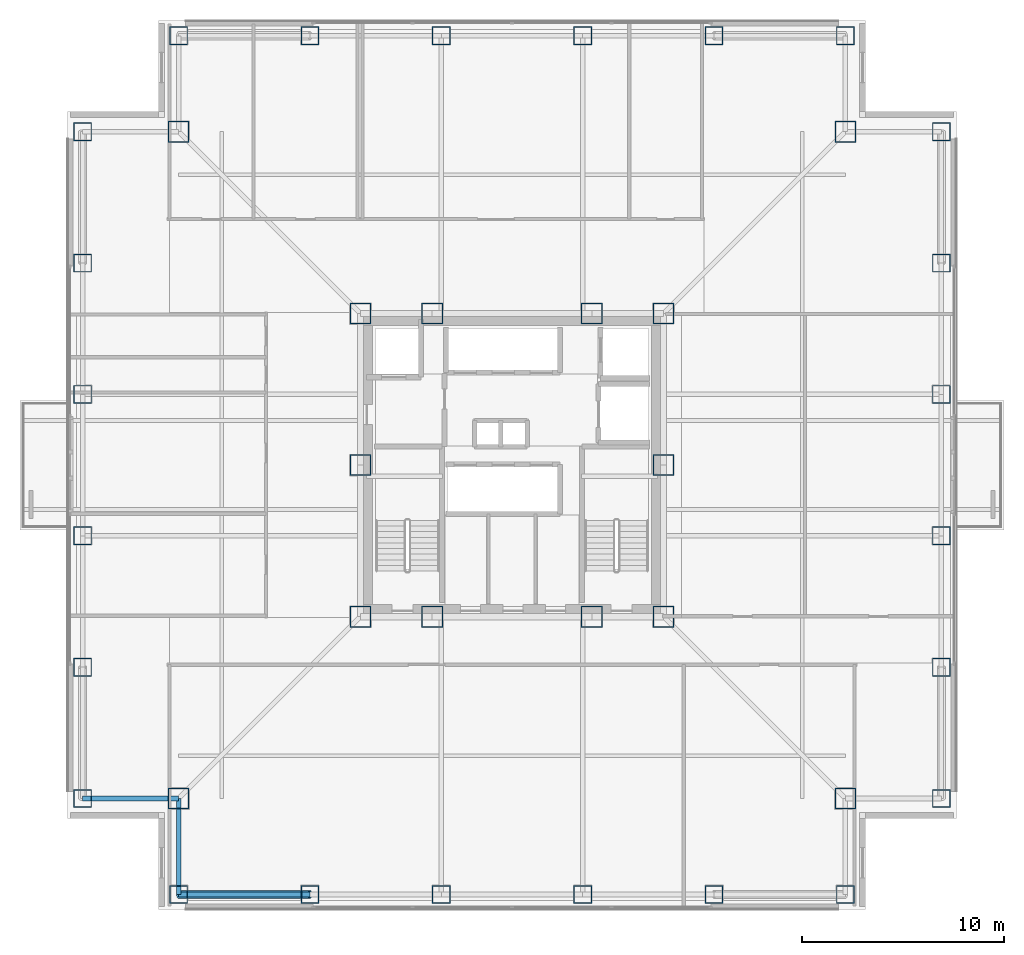
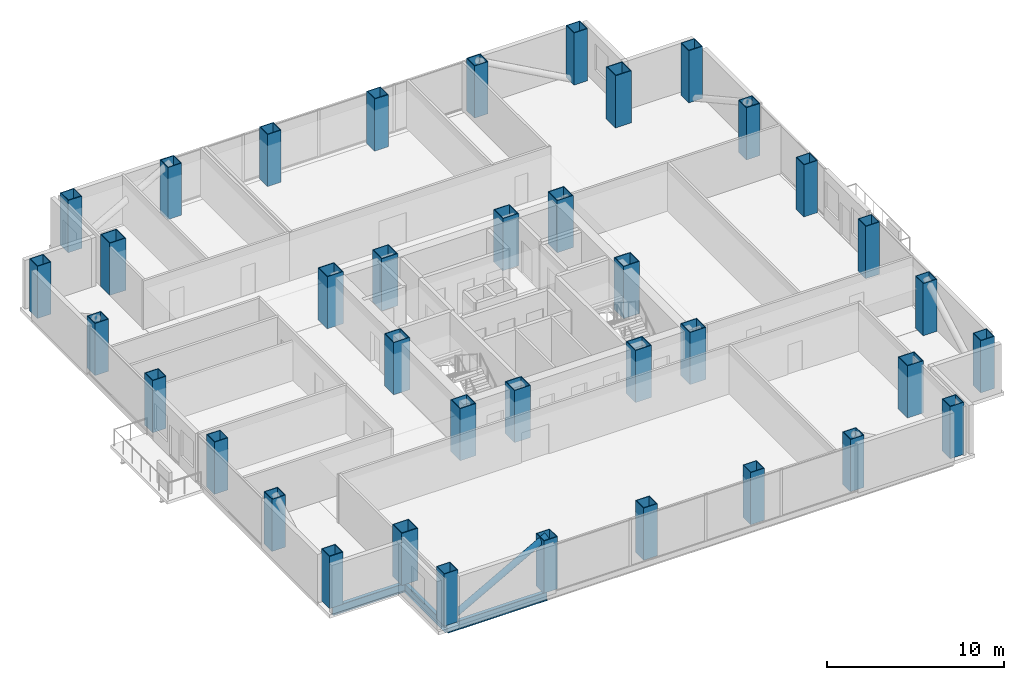
# One storey, part 1 of 16: 38 columns, 3 beams, 1 member.
"""IFC4 building model written with IfcOpenShell, lengths in metres."""

from ifc_helpers import new_model, si_unit, direction, frame, origin, origin_2d, place, context, subcontext, project, spatial, hollow_rectangle, hollow_circle, i_section, extrude, material, material_profile, profile_set, type_object, element, save


model = new_model("IFC4")

# Units and contexts
model_context = context("Model", 3, precision=1e-05, world=origin(), true_north=direction((0.0, 1.0)))
body_context = subcontext(model_context, "Body", "Model", "MODEL_VIEW")
ifc_project = project(units=[si_unit("LENGTHUNIT", "METRE"), si_unit("AREAUNIT", "SQUARE_METRE"), si_unit("VOLUMEUNIT", "CUBIC_METRE"), si_unit("PLANEANGLEUNIT", "RADIAN"), si_unit("MASSUNIT", "GRAM", prefix="KILO")], contexts=[model_context])

# Site, building, storey
site_placement = place(None, origin())
site = spatial("IfcSite", under=ifc_project, at=site_placement, CompositionType="ELEMENT")
building_placement = place(site_placement, origin())
building = spatial("IfcBuilding", under=site, at=building_placement, Name="Trevonay Congress Spire", CompositionType="ELEMENT")
storey_placement = place(building_placement, frame((0.0, 0.0, 144.39990234375)))
storey = spatial("IfcBuildingStorey", under=building, at=storey_placement, Name="L37", CompositionType="ELEMENT", Elevation=144.39990234375)

# Columns
ifc_material_1 = material(Name="Steel ASTM A572 Grade 50", Category="steel")
ifc_material_profile_1 = material_profile(ifc_material_1, hollow_rectangle(XDim=1.050048828125, YDim=1.050048828125, WallThickness=0.050048828125, at=origin_2d()), Name="BOX 1050x1050x50")
ifc_profile_set_1 = profile_set([ifc_material_profile_1], Name="Steel ASTM A572 Grade 50")
column_type_1 = type_object("IfcColumnType", Name="COL-CORE-BOX1050", PredefinedType="COLUMN", material=ifc_profile_set_1)
for number, where, z_axis, x_axis, name in (
    (1, (-7.5, -7.5, 0.0), (0.0, 0.0, 1.0), (1.0, 0.0, 0.0), "L37 column C03 at CC-SW"),
    (2, (-3.949951171875, -7.5, 0.0), (0.0, 0.0, 1.0), (1.0, 0.0, 0.0), "L37 column C03 at CC-SMW"),
    (3, (3.949951171875, -7.5, 0.0), (0.0, 0.0, 1.0), (1.0, 0.0, 0.0), "L37 column C03 at CC-SME"),
    (4, (7.5, -7.5, 0.0), (0.0, 0.0, 1.0), (1.0, 0.0, 0.0), "L37 column C03 at CC-SE"),
    (5, (7.5, 0.0, 0.0), (0.0, 0.0, 1.0), (1.0, 0.0, 0.0), "L37 column C03 at CC-E"),
    (6, (7.5, 7.5, 0.0), (0.0, 0.0, 1.0), (1.0, 0.0, 0.0), "L37 column C03 at CC-NE"),
    (7, (3.949951171875, 7.5, 0.0), (0.0, 0.0, 1.0), (1.0, 0.0, 0.0), "L37 column C03 at CC-NME"),
    (8, (-3.949951171875, 7.5, 0.0), (0.0, 0.0, 1.0), (1.0, 0.0, 0.0), "L37 column C03 at CC-NMW"),
    (9, (-7.5, 7.5, 0.0), (0.0, 0.0, 1.0), (1.0, 0.0, 0.0), "L37 column C03 at CC-NW"),
    (10, (-7.5, 0.0, 0.0), (0.0, 0.0, 1.0), (1.0, 0.0, 0.0), "L37 column C03 at CC-W"),
):
    element("IfcColumn", number, at=place(storey_placement, frame(where, z_axis=z_axis, x_axis=x_axis)), inside=storey, type_object=column_type_1, Name=name, PredefinedType="COLUMN", context=body_context, shape_type="SweptSolid", body=[
        extrude(hollow_rectangle(XDim=1.050048828125, YDim=1.050048828125, WallThickness=0.050048828125, at=origin_2d()), origin(), (0.0, 0.0, 1.0), 3.60009765625),
    ])
ifc_material_profile_2 = material_profile(ifc_material_1, hollow_rectangle(XDim=1.050048828125, YDim=1.050048828125, WallThickness=0.050048828125, at=origin_2d()), Name="BOX 1050x1050x50")
ifc_profile_set_2 = profile_set([ifc_material_profile_2], Name="Steel ASTM A572 Grade 50")
column_type_2 = type_object("IfcColumnType", Name="COL-TUBE-BOX1050", PredefinedType="COLUMN", material=ifc_profile_set_2)
for number, where, z_axis, x_axis, name in (
    (11, (-16.5, -16.5, 0.0), (0.0, 0.0, 1.0), (1.0, 0.0, 0.0), "L37 column C14 at NC-SW"),
    (12, (16.5, -16.5, 0.0), (0.0, 0.0, 1.0), (1.0, 0.0, 0.0), "L37 column C14 at NC-SE"),
    (13, (16.5, 16.5, 0.0), (0.0, 0.0, 1.0), (1.0, 0.0, 0.0), "L37 column C14 at NC-NE"),
    (14, (-16.5, 16.5, 0.0), (0.0, 0.0, 1.0), (1.0, 0.0, 0.0), "L37 column C14 at NC-NW"),
):
    element("IfcColumn", number, at=place(storey_placement, frame(where, z_axis=z_axis, x_axis=x_axis)), inside=storey, type_object=column_type_2, Name=name, PredefinedType="COLUMN", context=body_context, shape_type="SweptSolid", body=[
        extrude(hollow_rectangle(XDim=1.050048828125, YDim=1.050048828125, WallThickness=0.050048828125, at=origin_2d()), origin(), (0.0, 0.0, 1.0), 3.60009765625),
    ])
ifc_material_profile_3 = material_profile(ifc_material_1, hollow_rectangle(XDim=0.89990234375, YDim=0.89990234375, WallThickness=0.044921875, at=origin_2d()), Name="BOX 900x900x45")
ifc_profile_set_3 = profile_set([ifc_material_profile_3], Name="Steel ASTM A572 Grade 50")
column_type_3 = type_object("IfcColumnType", Name="COL-TUBE-BOX900", PredefinedType="COLUMN", material=ifc_profile_set_3)
for number, where, z_axis, x_axis, name in (
    (15, (-16.5, -21.25, 0.0), (0.0, 0.0, 1.0), (1.0, 0.0, 0.0), "L37 column C15 at TS-1"),
    (16, (-16.5, 21.25, 0.0), (0.0, 0.0, 1.0), (1.0, 0.0, 0.0), "L37 column C15 at TN-1"),
    (17, (-21.25, -16.5, 0.0), (0.0, 0.0, 1.0), (1.0, 0.0, 0.0), "L37 column C15 at TW-1"),
    (18, (21.25, -16.5, 0.0), (0.0, 0.0, 1.0), (1.0, 0.0, 0.0), "L37 column C15 at TE-1"),
    (19, (-10.0, -21.25, 0.0), (0.0, 0.0, 1.0), (1.0, 0.0, 0.0), "L37 column C15 at TS-2"),
    (20, (-10.0, 21.25, 0.0), (0.0, 0.0, 1.0), (1.0, 0.0, 0.0), "L37 column C15 at TN-2"),
    (21, (-21.25, -10.0, 0.0), (0.0, 0.0, 1.0), (1.0, 0.0, 0.0), "L37 column C15 at TW-2"),
    (22, (21.25, -10.0, 0.0), (0.0, 0.0, 1.0), (1.0, 0.0, 0.0), "L37 column C15 at TE-2"),
    (23, (-3.5, -21.25, 0.0), (0.0, 0.0, 1.0), (1.0, 0.0, 0.0), "L37 column C15 at TS-3"),
    (24, (-3.5, 21.25, 0.0), (0.0, 0.0, 1.0), (1.0, 0.0, 0.0), "L37 column C15 at TN-3"),
    (25, (-21.25, -3.5, 0.0), (0.0, 0.0, 1.0), (1.0, 0.0, 0.0), "L37 column C15 at TW-3"),
    (26, (21.25, -3.5, 0.0), (0.0, 0.0, 1.0), (1.0, 0.0, 0.0), "L37 column C15 at TE-3"),
    (27, (3.5, -21.25, 0.0), (0.0, 0.0, 1.0), (1.0, 0.0, 0.0), "L37 column C15 at TS-4"),
    (28, (3.5, 21.25, 0.0), (0.0, 0.0, 1.0), (1.0, 0.0, 0.0), "L37 column C15 at TN-4"),
    (29, (-21.25, 3.5, 0.0), (0.0, 0.0, 1.0), (1.0, 0.0, 0.0), "L37 column C15 at TW-4"),
    (30, (21.25, 3.5, 0.0), (0.0, 0.0, 1.0), (1.0, 0.0, 0.0), "L37 column C15 at TE-4"),
    (31, (10.0, -21.25, 0.0), (0.0, 0.0, 1.0), (1.0, 0.0, 0.0), "L37 column C15 at TS-5"),
    (32, (10.0, 21.25, 0.0), (0.0, 0.0, 1.0), (1.0, 0.0, 0.0), "L37 column C15 at TN-5"),
    (33, (-21.25, 10.0, 0.0), (0.0, 0.0, 1.0), (1.0, 0.0, 0.0), "L37 column C15 at TW-5"),
    (34, (21.25, 10.0, 0.0), (0.0, 0.0, 1.0), (1.0, 0.0, 0.0), "L37 column C15 at TE-5"),
    (35, (16.5, -21.25, 0.0), (0.0, 0.0, 1.0), (1.0, 0.0, 0.0), "L37 column C15 at TS-6"),
    (36, (16.5, 21.25, 0.0), (0.0, 0.0, 1.0), (1.0, 0.0, 0.0), "L37 column C15 at TN-6"),
    (37, (-21.25, 16.5, 0.0), (0.0, 0.0, 1.0), (1.0, 0.0, 0.0), "L37 column C15 at TW-6"),
    (38, (21.25, 16.5, 0.0), (0.0, 0.0, 1.0), (1.0, 0.0, 0.0), "L37 column C15 at TE-6"),
):
    element("IfcColumn", number, at=place(storey_placement, frame(where, z_axis=z_axis, x_axis=x_axis)), inside=storey, type_object=column_type_3, Name=name, PredefinedType="COLUMN", context=body_context, shape_type="SweptSolid", body=[
        extrude(hollow_rectangle(XDim=0.89990234375, YDim=0.89990234375, WallThickness=0.044921875, at=origin_2d()), origin(), (0.0, 0.0, 1.0), 3.60009765625),
    ])

# Beams
ifc_material_profile_4 = material_profile(ifc_material_1, i_section(OverallWidth=0.22802734375, OverallDepth=0.60791015625, WebThickness=0.01123046875, FlangeThickness=0.017333984375, FilletRadius=0.01611328125, at=origin_2d()), Name="W610x113")
ifc_profile_set_4 = profile_set([ifc_material_profile_4], Name="Steel ASTM A572 Grade 50")
beam_type = type_object("IfcBeamType", Name="BM-RING-W610X113", PredefinedType="BEAM", material=ifc_profile_set_4)
beam_placement = place(storey_placement, frame((-16.5, -21.25, -0.5439453125), z_axis=(1.0, 0.0, 0.0), x_axis=(0.0, 1.0, 0.0)))
element("IfcBeam", 39, at=beam_placement, inside=storey, type_object=beam_type, Name="L37 structural beam BM-L37-PS1", PredefinedType="BEAM", context=body_context, shape_type="SweptSolid", body=[
    extrude(i_section(OverallWidth=0.22802734375, OverallDepth=0.60791015625, WebThickness=0.01123046875, FlangeThickness=0.017333984375, FilletRadius=0.01611328125, at=origin_2d()), origin(), (0.0, 0.0, 1.0), 6.5),
])
for number, where, z_axis, x_axis, name in (
    (40, (-16.5, -21.25, -0.5439453125), (0.0, 1.0, 0.0), (-1.0, 0.0, 0.0), "L37 structural beam BM-L37-N1SW"),
    (41, (-21.25, -16.5, -0.5439453125), (1.0, 0.0, 0.0), (0.0, 1.0, 0.0), "L37 structural beam BM-L37-N2SW"),
):
    element("IfcBeam", number, at=place(storey_placement, frame(where, z_axis=z_axis, x_axis=x_axis)), inside=storey, type_object=beam_type, Name=name, PredefinedType="BEAM", context=body_context, shape_type="SweptSolid", body=[
        extrude(i_section(OverallWidth=0.22802734375, OverallDepth=0.60791015625, WebThickness=0.01123046875, FlangeThickness=0.017333984375, FilletRadius=0.01611328125, at=origin_2d()), origin(), (0.0, 0.0, 1.0), 4.75),
    ])

# Member
ifc_material_2 = material(Name="Steel ASTM A500 Grade C", Category="steel")
ifc_material_profile_5 = material_profile(ifc_material_2, hollow_circle(Radius=0.203125, WallThickness=0.02001953125, at=origin_2d()), Name="CHS 406.4x20")
ifc_profile_set_5 = profile_set([ifc_material_profile_5], Name="Steel ASTM A500 Grade C")
member_type = type_object("IfcMemberType", Name="MBR-TUBE-CHS406", PredefinedType="BRACE", material=ifc_profile_set_5)
member_placement = place(storey_placement, frame((-16.5, -21.25, -0.0498046875), z_axis=(0.874799711691, 0.0, 0.484484741169), x_axis=(0.0, 1.0, 0.0)))
element("IfcMember", 42, at=member_placement, inside=storey, type_object=member_type, Name="L37 perimeter braced-tube diagonal S0", PredefinedType="BRACE", context=body_context, shape_type="SweptSolid", body=[
    extrude(hollow_circle(Radius=0.203125, WallThickness=0.02001953125, at=origin_2d()), origin(), (0.0, 0.0, 1.0), 7.43017578125),
])

save(model, "model.ifc")
